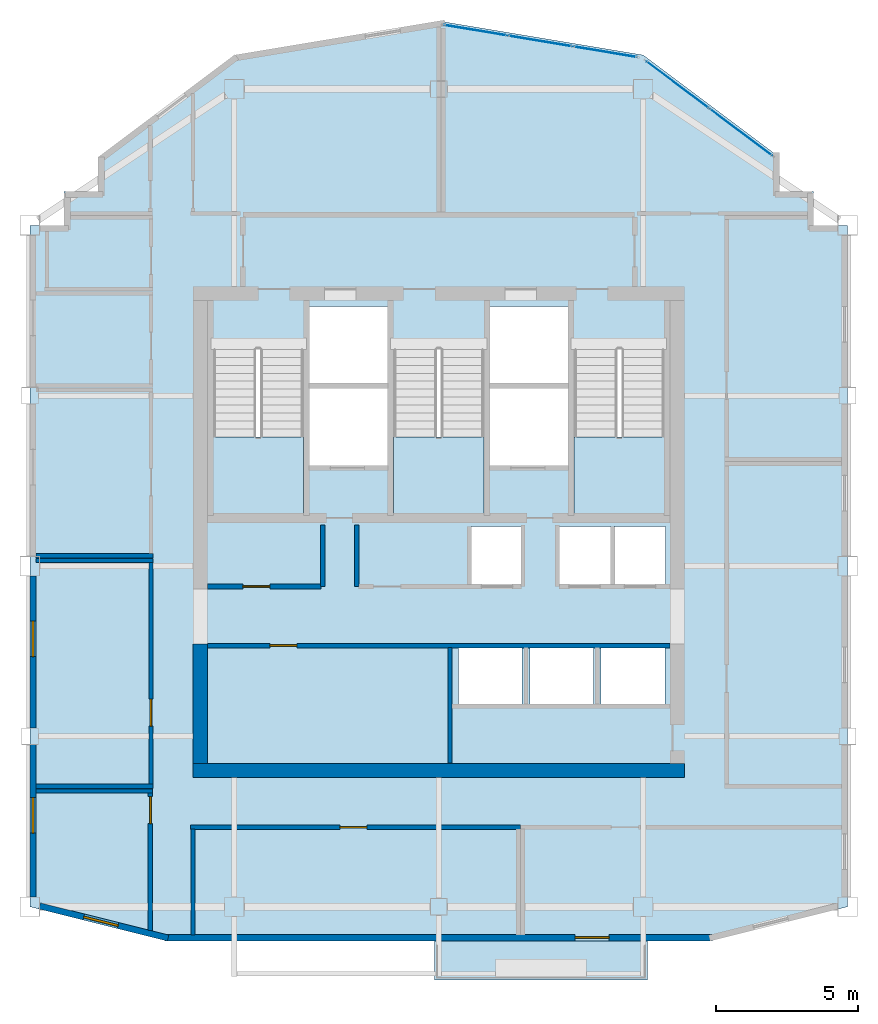
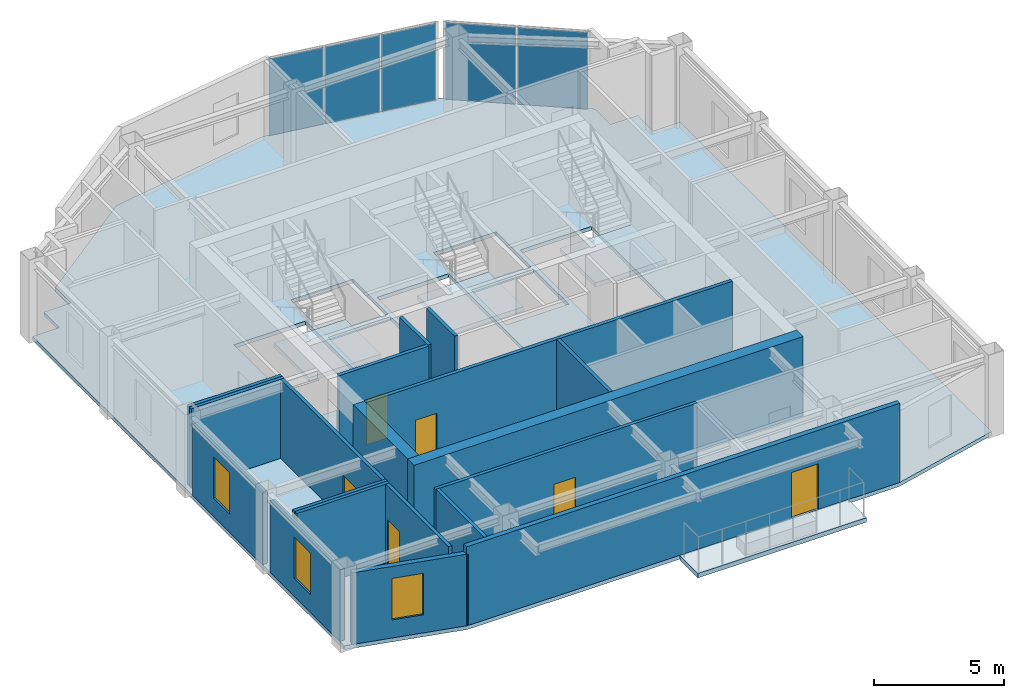
# One storey, part 4 of 8: 19 walls, 6 doors, 5 plates, 5 slabs, 3 windows, 9 openings, 5 elements without a shape of their own.
"""IFC4 building model written with IfcOpenShell, lengths in metres."""

from ifc_helpers import new_model, si_unit, direction, frame, frame_2d, origin, origin_2d, place, context, subcontext, project, spatial, polyline, rectangle, outline, extrude, material, layer, layer_set, type_object, element, fill, aggregate, save


model = new_model("IFC4")

# Units and contexts
model_context = context("Model", 3, precision=1e-05, world=origin(), true_north=direction((0.0, 1.0)))
body_context = subcontext(model_context, "Body", "Model", "MODEL_VIEW")
ifc_project = project(units=[si_unit("LENGTHUNIT", "METRE"), si_unit("AREAUNIT", "SQUARE_METRE"), si_unit("VOLUMEUNIT", "CUBIC_METRE"), si_unit("PLANEANGLEUNIT", "RADIAN"), si_unit("MASSUNIT", "GRAM", prefix="KILO")], contexts=[model_context])

# Site, building, storey
site_placement = place(None, origin())
site = spatial("IfcSite", under=ifc_project, at=site_placement, CompositionType="ELEMENT")
building_placement = place(site_placement, origin())
building = spatial("IfcBuilding", under=site, at=building_placement, Name="Haolan Belvedere Tower", CompositionType="ELEMENT")
storey_placement = place(building_placement, frame((0.0, 0.0, 305.60009765625)))
storey = spatial("IfcBuildingStorey", under=building, at=storey_placement, Name="L77", CompositionType="ELEMENT", Elevation=305.60009765625)

# Curtain wall, plates
ifc_material_1 = material(Name="Anodised champagne-silver aluminium 6063-T6 and Low-E glass", Category="aluminium")
ifc_layer_1 = layer(ifc_material_1, 0.14501953125, Name="Anodised champagne-silver aluminium 6063-T6 and Low-E glass")
ifc_layer_set_1 = layer_set([ifc_layer_1], Name="Anodised champagne-silver aluminium 6063-T6 and Low-E glass")
curtain_wall_type = type_object("IfcCurtainWallType", Name="CW-SYS-05", PredefinedType="NOTDEFINED", material=ifc_layer_set_1)
curtain_wall_1_placement = place(storey_placement, origin())
curtain_wall_1 = element("IfcCurtainWall", 1, at=curtain_wall_1_placement, inside=storey, type_object=curtain_wall_type, Name="L77 CW-SYS-05 ribbon curtain wall 8.1", PredefinedType="NOTDEFINED")
ifc_material_2 = material(Name="Double silver Low-E laminated insulating glass", Category="glass")
ifc_layer_2 = layer(ifc_material_2, 0.02197265625, Name="Double silver Low-E laminated insulating glass")
ifc_layer_set_2 = layer_set([ifc_layer_2], Name="Double silver Low-E laminated insulating glass")
plate_type = type_object("IfcPlateType", Name="CW-SYS-05-PNL", PredefinedType="CURTAIN_PANEL", material=ifc_layer_set_2)
plate_1_placement = place(storey_placement, frame((49.03955078125, 48.8828125, 0.0498046875), z_axis=(0.0, 0.0, 1.0), x_axis=(-0.799997871638, 0.600002837806, 0.0)))
plate_1 = element("IfcPlate", 2, at=plate_1_placement, type_object=plate_type, Name="CW-05 panel 1.1", PredefinedType="CURTAIN_PANEL", context=body_context, shape_type="SweptSolid", body=[
    extrude(rectangle(XDim=2.738037109375, YDim=0.02197265625, at=origin_2d()), origin(), (0.0, 0.0, 1.0), 3.6201171875),
])
plate_2_placement = place(storey_placement, frame((46.805908203125, 50.55810546875, 0.0498046875), z_axis=(0.0, 0.0, 1.0), x_axis=(-0.799997871638, 0.600002837806, 0.0)))
plate_2 = element("IfcPlate", 3, at=plate_2_placement, type_object=plate_type, Name="CW-05 panel 2.1", PredefinedType="CURTAIN_PANEL", context=body_context, shape_type="SweptSolid", body=[
    extrude(rectangle(XDim=2.738037109375, YDim=0.02197265625, at=origin_2d()), origin(), (0.0, 0.0, 1.0), 3.6201171875),
])
aggregate(curtain_wall_1, [plate_1, plate_2])

curtain_wall_2_placement = place(storey_placement, origin())
curtain_wall_2 = element("IfcCurtainWall", 4, at=curtain_wall_2_placement, inside=storey, type_object=curtain_wall_type, Name="L77 CW-SYS-05 ribbon curtain wall 9.1", PredefinedType="NOTDEFINED")
plate_3_placement = place(storey_placement, frame((44.257568359375, 51.712158203125, 0.0498046875), z_axis=(0.0, 0.0, 1.0), x_axis=(-0.98639276122, 0.164405962825, 0.0)))
plate_3 = element("IfcPlate", 5, at=plate_3_placement, type_object=plate_type, Name="CW-05 panel 1.1", PredefinedType="CURTAIN_PANEL", context=body_context, shape_type="SweptSolid", body=[
    extrude(rectangle(XDim=2.24365234375, YDim=0.02197265625, at=origin_2d()), origin(), (0.0, 0.0, 1.0), 3.6201171875),
])
plate_4_placement = place(storey_placement, frame((41.977783203125, 52.09228515625, 0.0498046875), z_axis=(0.0, 0.0, 1.0), x_axis=(-0.98639276122, 0.164405962825, 0.0)))
plate_4 = element("IfcPlate", 6, at=plate_4_placement, type_object=plate_type, Name="CW-05 panel 2.1", PredefinedType="CURTAIN_PANEL", context=body_context, shape_type="SweptSolid", body=[
    extrude(rectangle(XDim=2.270751953125, YDim=0.02197265625, at=origin_2d()), origin(), (0.0, 0.0, 1.0), 3.6201171875),
])
plate_5_placement = place(storey_placement, frame((39.697998046875, 52.47216796875, 0.0498046875), z_axis=(0.0, 0.0, 1.0), x_axis=(-0.98639276122, 0.164405962825, 0.0)))
plate_5 = element("IfcPlate", 7, at=plate_5_placement, type_object=plate_type, Name="CW-05 panel 3.1", PredefinedType="CURTAIN_PANEL", context=body_context, shape_type="SweptSolid", body=[
    extrude(rectangle(XDim=2.24365234375, YDim=0.02197265625, at=origin_2d()), origin(), (0.0, 0.0, 1.0), 3.6201171875),
])
aggregate(curtain_wall_2, [plate_3, plate_4, plate_5])

# Slabs
ifc_material_3 = material(Name="Concrete C40/50", Category="concrete")
ifc_layer_3 = layer(ifc_material_3, 0.2099609375, Name="Concrete C40/50")
ifc_layer_set_3 = layer_set([ifc_layer_3], Name="Concrete C40/50")
slab_type_1 = type_object("IfcSlabType", Name="SL-BAL-210", PredefinedType="FLOOR", material=ifc_layer_set_3)
slab_1_placement = place(storey_placement, frame((0.0, 0.0, -0.22998046875)))
element("IfcSlab", 8, at=slab_1_placement, inside=storey, type_object=slab_type_1, Name="L77 structural tree-planter balcony slab BAL-L77-S1", PredefinedType="FLOOR", context=body_context, shape_type="SweptSolid", body=[
    extrude(outline(polyline([(38.25, 19.02001953125), (45.75, 19.02001953125), (45.75, 20.39990234375), (38.25, 20.39990234375), (38.25, 19.02001953125)])), origin(), (0.0, 0.0, 1.0), 0.2099609375),
])
ifc_layer_4 = layer(ifc_material_3, 0.179931640625, Name="Concrete C40/50")
ifc_layer_set_4 = layer_set([ifc_layer_4], Name="Concrete C40/50")
slab_type_2 = type_object("IfcSlabType", Name="SL-FLR-180", PredefinedType="FLOOR", material=ifc_layer_set_4)
slab_2_placement = place(storey_placement, frame((0.0, 0.0, -0.18017578125)))
element("IfcSlab", 9, at=slab_2_placement, inside=storey, type_object=slab_type_2, Name="L77 structural floor slab", PredefinedType="FLOOR", context=body_context, shape_type="SweptSolid", body=[
    extrude(outline(polyline([(24.0, 21.60009765625), (28.800048828125, 20.39990234375), (48.0, 20.39990234375), (52.800048828125, 21.60009765625), (52.800048828125, 45.60009765625), (52.800048828125, 45.60009765625), (51.60009765625, 45.60009765625), (51.60009765625, 46.800048828125), (50.39990234375, 46.800048828125), (50.39990234375, 48.0), (45.60009765625, 51.60009765625), (38.39990234375, 52.800048828125), (31.199951171875, 51.60009765625), (26.39990234375, 48.0), (26.39990234375, 46.800048828125), (25.199951171875, 46.800048828125), (25.199951171875, 45.60009765625), (24.0, 45.60009765625), (24.0, 45.60009765625), (24.0, 21.60009765625)]), holes=[polyline([(30.449951171875, 41.22998046875), (30.449951171875, 35.449951171875), (33.6298828125, 35.449951171875), (33.6298828125, 41.22998046875), (30.449951171875, 41.22998046875)]), polyline([(36.81005859375, 41.22998046875), (36.81005859375, 35.449951171875), (39.989990234375, 35.449951171875), (39.989990234375, 41.22998046875), (36.81005859375, 41.22998046875)]), polyline([(43.169921875, 41.22998046875), (43.169921875, 35.449951171875), (46.35009765625, 35.449951171875), (46.35009765625, 41.22998046875), (43.169921875, 41.22998046875)]), polyline([(33.830078125, 40.050048828125), (36.610107421875, 40.050048828125), (36.610107421875, 42.75), (33.830078125, 42.75), (33.830078125, 40.050048828125)]), polyline([(33.830078125, 37.14990234375), (36.610107421875, 37.14990234375), (36.610107421875, 39.85009765625), (33.830078125, 39.85009765625), (33.830078125, 37.14990234375)]), polyline([(40.18994140625, 40.050048828125), (42.969970703125, 40.050048828125), (42.969970703125, 42.75), (40.18994140625, 42.75), (40.18994140625, 40.050048828125)]), polyline([(40.18994140625, 37.14990234375), (42.969970703125, 37.14990234375), (42.969970703125, 39.85009765625), (40.18994140625, 39.85009765625), (40.18994140625, 37.14990234375)]), polyline([(39.5400390625, 32.949951171875), (41.389892578125, 32.949951171875), (41.389892578125, 35.0), (39.5400390625, 35.0), (39.5400390625, 32.949951171875)]), polyline([(42.6201171875, 32.949951171875), (44.469970703125, 32.949951171875), (44.469970703125, 35.0), (42.6201171875, 35.0), (42.6201171875, 32.949951171875)]), polyline([(44.580078125, 32.949951171875), (46.3798828125, 32.949951171875), (46.3798828125, 35.0), (44.580078125, 35.0), (44.580078125, 32.949951171875)]), polyline([(39.10009765625, 28.75), (41.340087890625, 28.75), (41.340087890625, 30.75), (39.10009765625, 30.75), (39.10009765625, 28.75)]), polyline([(41.610107421875, 28.75), (43.85009765625, 28.75), (43.85009765625, 30.75), (41.610107421875, 30.75), (41.610107421875, 28.75)]), polyline([(44.1201171875, 28.75), (46.360107421875, 28.75), (46.360107421875, 30.75), (44.1201171875, 30.75), (44.1201171875, 28.75)])]), origin(), (0.0, 0.0, 1.0), 0.18017578125),
])

# Stair, slab
stair_type = type_object("IfcStairType", Name="STR-DL-24R-162", PredefinedType="HALF_TURN_STAIR", material=ifc_material_3)
stair_1_placement = place(storey_placement, origin())
stair_1 = element("IfcStair", 10, at=stair_1_placement, inside=storey, type_object=stair_type, Name="L77 Smokeproof Core Exit Stair ST1", PredefinedType="HALF_TURN_STAIR")
ifc_layer_5 = layer(ifc_material_3, 0.199951171875, Name="Concrete C40/50")
ifc_layer_set_5 = layer_set([ifc_layer_5], Name="Concrete C40/50")
slab_type_3 = type_object("IfcSlabType", Name="SL-LAND-200", PredefinedType="LANDING", material=ifc_layer_set_5)
slab_3_placement = place(storey_placement, frame((0.0, 0.0, 1.75)))
slab_3 = element("IfcSlab", 11, at=slab_3_placement, type_object=slab_type_3, Name="ST1 landing 1", PredefinedType="LANDING", context=body_context, shape_type="SweptSolid", body=[
    extrude(outline(polyline([(30.449951171875, 38.14990234375), (30.449951171875, 35.449951171875), (33.6298828125, 35.449951171875), (33.6298828125, 38.14990234375), (30.449951171875, 38.14990234375)])), origin(), (0.0, 0.0, 1.0), 0.199951171875),
])
aggregate(stair_1, [slab_3])

stair_2_placement = place(storey_placement, origin())
stair_2 = element("IfcStair", 12, at=stair_2_placement, inside=storey, type_object=stair_type, Name="L77 Smokeproof Core Exit Stair ST3", PredefinedType="HALF_TURN_STAIR")
slab_4_placement = place(storey_placement, frame((0.0, 0.0, 1.75)))
slab_4 = element("IfcSlab", 13, at=slab_4_placement, type_object=slab_type_3, Name="ST3 landing 1", PredefinedType="LANDING", context=body_context, shape_type="SweptSolid", body=[
    extrude(outline(polyline([(36.81005859375, 38.14990234375), (36.81005859375, 35.449951171875), (39.989990234375, 35.449951171875), (39.989990234375, 38.14990234375), (36.81005859375, 38.14990234375)])), origin(), (0.0, 0.0, 1.0), 0.199951171875),
])
aggregate(stair_2, [slab_4])

stair_3_placement = place(storey_placement, origin())
stair_3 = element("IfcStair", 14, at=stair_3_placement, inside=storey, type_object=stair_type, Name="L77 Smokeproof Core Exit Stair ST2", PredefinedType="HALF_TURN_STAIR")
slab_5_placement = place(storey_placement, frame((0.0, 0.0, 1.75)))
slab_5 = element("IfcSlab", 15, at=slab_5_placement, type_object=slab_type_3, Name="ST2 landing 1", PredefinedType="LANDING", context=body_context, shape_type="SweptSolid", body=[
    extrude(outline(polyline([(43.169921875, 38.14990234375), (43.169921875, 35.449951171875), (46.35009765625, 35.449951171875), (46.35009765625, 38.14990234375), (43.169921875, 38.14990234375)])), origin(), (0.0, 0.0, 1.0), 0.199951171875),
])
aggregate(stair_3, [slab_5])

# Walls
ifc_material_4 = material(Name="Concrete C50/60", Category="concrete")
ifc_layer_6 = layer(ifc_material_4, 0.5, Name="Concrete C50/60")
ifc_layer_set_6 = layer_set([ifc_layer_6], Name="Concrete C50/60")
wall_type_1 = type_object("IfcWallType", Name="WL-CORE-500", PredefinedType="SHEAR", material=ifc_layer_set_6)
wall_1_placement = place(storey_placement, frame((29.75, 26.39990234375, 0.0), z_axis=(0.0, 0.0, 1.0), x_axis=(1.0, 0.0, 0.0)))
element("IfcWall", 16, at=wall_1_placement, inside=storey, type_object=wall_type_1, Name="L77 central core south shear wall", PredefinedType="SHEAR", context=body_context, shape_type="SweptSolid", body=[
    extrude(rectangle(XDim=17.300048828125, YDim=0.5, at=frame_2d((8.64990234375, 0.0))), origin(), (0.0, 0.0, 1.0), 3.719970703125),
])
wall_2_placement = place(storey_placement, frame((30.0, 26.64990234375, 0.0), z_axis=(0.0, 0.0, 1.0), x_axis=(0.0, 1.0, 0.0)))
element("IfcWall", 17, at=wall_2_placement, inside=storey, type_object=wall_type_1, Name="L77 central core shear wall WS", PredefinedType="SHEAR", context=body_context, shape_type="SweptSolid", body=[
    extrude(rectangle(XDim=4.2001953125, YDim=0.5, at=frame_2d((2.10009765625, 0.0))), origin(), (0.0, 0.0, 1.0), 3.719970703125),
])

# Wall, opening, door
ifc_material_5 = material(Name="Precast concrete C40/50", Category="concrete")
ifc_layer_7 = layer(ifc_material_5, 0.219970703125, Name="Precast concrete C40/50")
ifc_layer_set_7 = layer_set([ifc_layer_7], Name="Precast concrete C40/50")
wall_type_2 = type_object("IfcWallType", Name="WL-EXT-220", PredefinedType="SOLIDWALL", material=ifc_layer_set_7)
wall_3_placement = place(storey_placement, frame((28.758544921875, 20.510009765625, 0.0), z_axis=(0.0, 0.0, 1.0), x_axis=(1.0, 0.0, 0.0)))
wall_3 = element("IfcWall", 18, at=wall_3_placement, inside=storey, type_object=wall_type_2, Name="L77 pale-metal exterior spandrel wall 1.1", PredefinedType="SOLIDWALL", context=body_context, shape_type="SweptSolid", body=[
    extrude(rectangle(XDim=19.282958984375, YDim=0.219970703125, at=frame_2d((9.6416015625, 0.0))), origin(), (0.0, 0.0, 1.0), 3.719970703125),
])
opening_1_placement = place(wall_3_placement, frame((15.641357421875, 0.0, 0.0), z_axis=(0.0, 0.0, 1.0), x_axis=(-1.0, 0.0, 0.0)))
opening_1 = element("IfcOpeningElement", 19, at=opening_1_placement, cuts=wall_3, Name="Opening BD-01", PredefinedType="OPENING", context=body_context, shape_type="SweptSolid", body=[
    extrude(rectangle(XDim=1.199951171875, YDim=2.14990234375, at=frame_2d((0.60009765625, 1.074951171875))), frame((0.0, 0.119873046875, 0.0), z_axis=(0.0, -1.0, 0.0), x_axis=(1.0, 0.0, 0.0)), (0.0, 0.0, 1.0), 0.239990234375),
])
ifc_material_6 = material(Name="Thermally broken pale-metal aluminium and Low-E glass", Category="aluminium")
door_type_1 = type_object("IfcDoorType", Name="DR-BAL-1200", OperationType="NOTDEFINED", PredefinedType="DOOR", material=ifc_material_6)
door_1_placement = place(opening_1_placement, origin())
door_1 = element("IfcDoor", 20, at=door_1_placement, inside=storey, type_object=door_type_1, Name="L77 tree-balcony access door 1", OperationType="SINGLE_SWING_LEFT", OverallHeight=2.14990234375, OverallWidth=1.199951171875, PredefinedType="DOOR", context=body_context, shape_type="SweptSolid", body=[
    extrude(rectangle(XDim=1.199951171875, YDim=2.14990234375, at=frame_2d((0.60009765625, 1.074951171875))), frame((0.0, 0.02490234375, 0.0), z_axis=(0.0, -1.0, 0.0), x_axis=(1.0, 0.0, 0.0)), (0.0, 0.0, 1.0), 0.050048828125),
])
fill(opening_1, door_1)

# Wall, opening, window
wall_4_placement = place(storey_placement, frame((24.110107421875, 33.258056640625, 0.0), z_axis=(0.0, 0.0, 1.0), x_axis=(0.0, -1.0, 0.0)))
wall_4 = element("IfcWall", 21, at=wall_4_placement, inside=storey, type_object=wall_type_2, Name="L77 pale-metal exterior spandrel wall 16.3", PredefinedType="SOLIDWALL", context=body_context, shape_type="SweptSolid", body=[
    extrude(rectangle(XDim=5.365966796875, YDim=0.219970703125, at=frame_2d((2.68310546875, 0.0))), origin(), (0.0, 0.0, 1.0), 3.364990234375),
])
opening_2_placement = place(wall_4_placement, frame((1.60009765625, 0.0, 0.85009765625)))
opening_2 = element("IfcOpeningElement", 22, at=opening_2_placement, cuts=wall_4, Name="Opening W-04", PredefinedType="OPENING", context=body_context, shape_type="SweptSolid", body=[
    extrude(rectangle(XDim=1.25, YDim=1.949951171875, at=frame_2d((0.625, 0.97509765625))), frame((0.0, 0.119873046875, 0.0), z_axis=(0.0, -1.0, 0.0), x_axis=(1.0, 0.0, 0.0)), (0.0, 0.0, 1.0), 0.239990234375),
])
ifc_material_7 = material(Name="Anodised aluminium 6063-T6 and Low-E glass", Category="aluminium")
window_type = type_object("IfcWindowType", Name="WN-DECO-Z4", PartitioningType="SINGLE_PANEL", PredefinedType="WINDOW", material=ifc_material_7)
window_1_placement = place(opening_2_placement, origin())
window_1 = element("IfcWindow", 23, at=window_1_placement, inside=storey, type_object=window_type, Name="L77 Art Deco chevron window 1", OverallHeight=1.949951171875, OverallWidth=1.25, PartitioningType="SINGLE_PANEL", PredefinedType="WINDOW", context=body_context, shape_type="SweptSolid", body=[
    extrude(rectangle(XDim=1.25, YDim=1.949951171875, at=frame_2d((0.625, 0.97509765625))), frame((0.0, 0.030029296875, 0.0), z_axis=(0.0, -1.0, 0.0), x_axis=(1.0, 0.0, 0.0)), (0.0, 0.0, 1.0), 0.06005859375),
])
fill(opening_2, window_1)

wall_5_placement = place(storey_placement, frame((24.110107421875, 27.30810546875, 0.0), z_axis=(0.0, 0.0, 1.0), x_axis=(0.0, -1.0, 0.0)))
wall_5 = element("IfcWall", 24, at=wall_5_placement, inside=storey, type_object=wall_type_2, Name="L77 pale-metal exterior spandrel wall 16.4", PredefinedType="SOLIDWALL", context=body_context, shape_type="SweptSolid", body=[
    extrude(rectangle(XDim=5.3662109375, YDim=0.219970703125, at=frame_2d((2.68310546875, 0.0))), origin(), (0.0, 0.0, 1.0), 3.364990234375),
])
opening_3_placement = place(wall_5_placement, frame((1.863037109375, 0.0, 0.85009765625)))
opening_3 = element("IfcOpeningElement", 25, at=opening_3_placement, cuts=wall_5, Name="Opening W-04", PredefinedType="OPENING", context=body_context, shape_type="SweptSolid", body=[
    extrude(rectangle(XDim=1.25, YDim=1.949951171875, at=frame_2d((0.625, 0.97509765625))), frame((0.0, 0.119873046875, 0.0), z_axis=(0.0, -1.0, 0.0), x_axis=(1.0, 0.0, 0.0)), (0.0, 0.0, 1.0), 0.239990234375),
])
window_2_placement = place(opening_3_placement, origin())
window_2 = element("IfcWindow", 26, at=window_2_placement, inside=storey, type_object=window_type, Name="L77 Art Deco chevron window 1", OverallHeight=1.949951171875, OverallWidth=1.25, PartitioningType="SINGLE_PANEL", PredefinedType="WINDOW", context=body_context, shape_type="SweptSolid", body=[
    extrude(rectangle(XDim=1.25, YDim=1.949951171875, at=frame_2d((0.625, 0.97509765625))), frame((0.0, 0.030029296875, 0.0), z_axis=(0.0, -1.0, 0.0), x_axis=(1.0, 0.0, 0.0)), (0.0, 0.0, 1.0), 0.06005859375),
])
fill(opening_3, window_2)

wall_6_placement = place(storey_placement, frame((24.342041015625, 21.6279296875, 0.0), z_axis=(0.0, 0.0, 1.0), x_axis=(0.970136341762, -0.242560257242, 0.0)))
wall_6 = element("IfcWall", 27, at=wall_6_placement, inside=storey, type_object=wall_type_2, Name="L77 pale-metal exterior spandrel wall 17.1", PredefinedType="SOLIDWALL", context=body_context, shape_type="SweptSolid", body=[
    extrude(rectangle(XDim=4.664306640625, YDim=0.219970703125, at=frame_2d((2.33203125, 0.0))), origin(), (0.0, 0.0, 1.0), 3.364990234375),
])
opening_4_placement = place(wall_6_placement, frame((1.60009765625, 0.0, 0.85009765625)))
opening_4 = element("IfcOpeningElement", 28, at=opening_4_placement, cuts=wall_6, Name="Opening W-04", PredefinedType="OPENING", context=body_context, shape_type="SweptSolid", body=[
    extrude(rectangle(XDim=1.25, YDim=1.949951171875, at=frame_2d((0.625, 0.97509765625))), frame((0.0, 0.119873046875, 0.0), z_axis=(0.0, -1.0, 0.0), x_axis=(1.0, 0.0, 0.0)), (0.0, 0.0, 1.0), 0.239990234375),
])
window_3_placement = place(opening_4_placement, origin())
window_3 = element("IfcWindow", 29, at=window_3_placement, inside=storey, type_object=window_type, Name="L77 Art Deco chevron window 1", OverallHeight=1.949951171875, OverallWidth=1.25, PartitioningType="SINGLE_PANEL", PredefinedType="WINDOW", context=body_context, shape_type="SweptSolid", body=[
    extrude(rectangle(XDim=1.25, YDim=1.949951171875, at=frame_2d((0.625, 0.97509765625))), frame((0.0, 0.030029296875, 0.0), z_axis=(0.0, -1.0, 0.0), x_axis=(1.0, 0.0, 0.0)), (0.0, 0.0, 1.0), 0.06005859375),
])
fill(opening_4, window_3)

# Walls
ifc_material_8 = material(Name="Double gypsum acoustic stud partition", Category="masonry")
ifc_layer_8 = layer(ifc_material_8, 0.14990234375, Name="Double gypsum acoustic stud partition")
ifc_layer_set_8 = layer_set([ifc_layer_8], Name="Double gypsum acoustic stud partition")
wall_type_3 = type_object("IfcWallType", Name="WL-PART-150", PredefinedType="PARTITIONING", material=ifc_layer_set_8)
for number, where, z_axis, x_axis, name in (
    (30, (24.2119140625, 33.800048828125, 0.0), (0.0, 0.0, 1.0), (1.0, 0.0, 0.0), "L77 interior partition IW-L77-PH-LIBW-N"),
    (31, (24.2119140625, 25.840087890625, 0.0), (0.0, 0.0, 1.0), (1.0, 0.0, 0.0), "L77 interior partition IW-L77-PH-LIBW-S"),
):
    element("IfcWall", number, at=place(storey_placement, frame(where, z_axis=z_axis, x_axis=x_axis)), inside=storey, type_object=wall_type_3, Name=name, PredefinedType="PARTITIONING", context=body_context, shape_type="SweptSolid", body=[
        extrude(rectangle(XDim=4.128173828125, YDim=0.14990234375, at=frame_2d((2.06396484375, 0.0))), origin(), (0.0, 0.0, 1.0), 3.719970703125),
    ])

# Wall, opening, door
wall_7_placement = place(storey_placement, frame((28.260009765625, 25.89990234375, 0.0), z_axis=(0.0, 0.0, 1.0), x_axis=(0.0, 1.0, 0.0)))
wall_7 = element("IfcWall", 32, at=wall_7_placement, inside=storey, type_object=wall_type_3, Name="L77 interior partition IW-L77-PH-LIBW-E", PredefinedType="PARTITIONING", context=body_context, shape_type="SweptSolid", body=[
    extrude(rectangle(XDim=7.840087890625, YDim=0.14990234375, at=frame_2d((3.919921875, 0.0))), origin(), (0.0, 0.0, 1.0), 3.719970703125),
])
opening_5_placement = place(wall_7_placement, frame((3.010009765625, 0.0, 0.0), z_axis=(0.0, 0.0, 1.0), x_axis=(-1.0, 0.0, 0.0)))
opening_5 = element("IfcOpeningElement", 33, at=opening_5_placement, cuts=wall_7, Name="Opening ID-03", PredefinedType="OPENING", context=body_context, shape_type="SweptSolid", body=[
    extrude(rectangle(XDim=0.949951171875, YDim=2.1201171875, at=frame_2d((0.47509765625, 1.06005859375))), frame((0.0, 0.0849609375, 0.0), z_axis=(0.0, -1.0, 0.0), x_axis=(1.0, 0.0, 0.0)), (0.0, 0.0, 1.0), 0.169921875),
])
ifc_material_9 = material(Name="Painted solid-core timber", Category="wood")
door_type_2 = type_object("IfcDoorType", Name="DR-INT-950", OperationType="NOTDEFINED", PredefinedType="DOOR", material=ifc_material_9)
door_2_placement = place(opening_5_placement, origin())
door_2 = element("IfcDoor", 34, at=door_2_placement, inside=storey, type_object=door_type_2, Name="L77 door ID-L77-PH-LIBW", OperationType="SINGLE_SWING_LEFT", OverallHeight=2.1201171875, OverallWidth=0.949951171875, PredefinedType="DOOR", context=body_context, shape_type="SweptSolid", body=[
    extrude(rectangle(XDim=0.949951171875, YDim=2.1201171875, at=frame_2d((0.47509765625, 1.06005859375))), frame((0.0, 0.02490234375, 0.0), z_axis=(0.0, -1.0, 0.0), x_axis=(1.0, 0.0, 0.0)), (0.0, 0.0, 1.0), 0.050048828125),
])
fill(opening_5, door_2)

# Wall
wall_8_placement = place(storey_placement, frame((24.2119140625, 33.9599609375, 0.0), z_axis=(0.0, 0.0, 1.0), x_axis=(1.0, 0.0, 0.0)))
element("IfcWall", 35, at=wall_8_placement, inside=storey, type_object=wall_type_3, Name="L77 interior partition IW-L77-PH-TERW-S", PredefinedType="PARTITIONING", context=body_context, shape_type="SweptSolid", body=[
    extrude(rectangle(XDim=4.128173828125, YDim=0.14990234375, at=frame_2d((2.06396484375, 0.0))), origin(), (0.0, 0.0, 1.0), 3.719970703125),
])

# Wall, opening, door
wall_9_placement = place(storey_placement, frame((29.659912109375, 24.39990234375, 0.0), z_axis=(0.0, 0.0, 1.0), x_axis=(1.0, 0.0, 0.0)))
wall_9 = element("IfcWall", 36, at=wall_9_placement, inside=storey, type_object=wall_type_3, Name="L77 interior partition IW-L77-PHS1-N", PredefinedType="PARTITIONING", context=body_context, shape_type="SweptSolid", body=[
    extrude(rectangle(XDim=11.6201171875, YDim=0.14990234375, at=frame_2d((5.81005859375, 0.0))), origin(), (0.0, 0.0, 1.0), 3.719970703125),
])
opening_6_placement = place(wall_9_placement, frame((6.204833984375, 0.0, 0.0), z_axis=(0.0, 0.0, 1.0), x_axis=(-1.0, 0.0, 0.0)))
opening_6 = element("IfcOpeningElement", 37, at=opening_6_placement, cuts=wall_9, Name="Opening ID-03", PredefinedType="OPENING", context=body_context, shape_type="SweptSolid", body=[
    extrude(rectangle(XDim=0.949951171875, YDim=2.1201171875, at=frame_2d((0.47509765625, 1.06005859375))), frame((0.0, 0.0849609375, 0.0), z_axis=(0.0, -1.0, 0.0), x_axis=(1.0, 0.0, 0.0)), (0.0, 0.0, 1.0), 0.169921875),
])
door_3_placement = place(opening_6_placement, origin())
door_3 = element("IfcDoor", 38, at=door_3_placement, inside=storey, type_object=door_type_2, Name="L77 door ID-L77-PHS1", OperationType="SINGLE_SWING_LEFT", OverallHeight=2.1201171875, OverallWidth=0.949951171875, PredefinedType="DOOR", context=body_context, shape_type="SweptSolid", body=[
    extrude(rectangle(XDim=0.949951171875, YDim=2.1201171875, at=frame_2d((0.47509765625, 1.06005859375))), frame((0.0, 0.02490234375, 0.0), z_axis=(0.0, -1.0, 0.0), x_axis=(1.0, 0.0, 0.0)), (0.0, 0.0, 1.0), 0.050048828125),
])
fill(opening_6, door_3)

# Walls
wall_10_placement = place(storey_placement, frame((29.739990234375, 20.612060546875, 0.0), z_axis=(0.0, 0.0, 1.0), x_axis=(0.0, 1.0, 0.0)))
element("IfcWall", 39, at=wall_10_placement, inside=storey, type_object=wall_type_3, Name="L77 interior partition IW-L77-PHS1-W", PredefinedType="PARTITIONING", context=body_context, shape_type="SweptSolid", body=[
    extrude(rectangle(XDim=3.72802734375, YDim=0.14990234375, at=frame_2d((1.864013671875, 0.0))), origin(), (0.0, 0.0, 1.0), 3.719970703125),
])
wall_11_placement = place(storey_placement, frame((24.2119140625, 25.679931640625, 0.0), z_axis=(0.0, 0.0, 1.0), x_axis=(1.0, 0.0, 0.0)))
element("IfcWall", 40, at=wall_11_placement, inside=storey, type_object=wall_type_3, Name="L77 interior partition IW-L77-PH-GALW-N", PredefinedType="PARTITIONING", context=body_context, shape_type="SweptSolid", body=[
    extrude(rectangle(XDim=4.108154296875, YDim=0.14990234375, at=frame_2d((2.05419921875, 0.0))), origin(), (0.0, 0.0, 1.0), 3.719970703125),
])

# Wall, opening, door
wall_12_placement = place(storey_placement, frame((28.239990234375, 20.758544921875, 0.0), z_axis=(0.0, 0.0, 1.0), x_axis=(0.0, 1.0, 0.0)))
wall_12 = element("IfcWall", 41, at=wall_12_placement, inside=storey, type_object=wall_type_3, Name="L77 interior partition IW-L77-PH-GALW-E", PredefinedType="PARTITIONING", context=body_context, shape_type="SweptSolid", body=[
    extrude(rectangle(XDim=4.861572265625, YDim=0.14990234375, at=frame_2d((2.4306640625, 0.0))), origin(), (0.0, 0.0, 1.0), 3.719970703125),
])
opening_7_placement = place(wall_12_placement, frame((4.721435546875, 0.0, 0.0), z_axis=(0.0, 0.0, 1.0), x_axis=(-1.0, 0.0, 0.0)))
opening_7 = element("IfcOpeningElement", 42, at=opening_7_placement, cuts=wall_12, Name="Opening ID-03", PredefinedType="OPENING", context=body_context, shape_type="SweptSolid", body=[
    extrude(rectangle(XDim=0.949951171875, YDim=2.1201171875, at=frame_2d((0.47509765625, 1.06005859375))), frame((0.0, 0.0849609375, 0.0), z_axis=(0.0, -1.0, 0.0), x_axis=(1.0, 0.0, 0.0)), (0.0, 0.0, 1.0), 0.169921875),
])
door_4_placement = place(opening_7_placement, origin())
door_4 = element("IfcDoor", 43, at=door_4_placement, inside=storey, type_object=door_type_2, Name="L77 door ID-L77-PH-GALW", OperationType="SINGLE_SWING_LEFT", OverallHeight=2.1201171875, OverallWidth=0.949951171875, PredefinedType="DOOR", context=body_context, shape_type="SweptSolid", body=[
    extrude(rectangle(XDim=0.949951171875, YDim=2.1201171875, at=frame_2d((0.47509765625, 1.06005859375))), frame((0.0, 0.02490234375, 0.0), z_axis=(0.0, -1.0, 0.0), x_axis=(1.0, 0.0, 0.0)), (0.0, 0.0, 1.0), 0.050048828125),
])
fill(opening_7, door_4)

# Walls
ifc_material_10 = material(Name="Gypsum fire shaftwall assembly", Category="masonry")
ifc_layer_9 = layer(ifc_material_10, 0.1650390625, Name="Gypsum fire shaftwall assembly")
ifc_layer_set_9 = layer_set([ifc_layer_9], Name="Gypsum fire shaftwall assembly")
wall_type_4 = type_object("IfcWallType", Name="WL-SHAFT-160", PredefinedType="SOLIDWALL", material=ifc_layer_set_9)
for number, where, z_axis, x_axis, name in (
    (44, (34.31005859375, 32.8798828125, 0.0), (0.0, 0.0, 1.0), (0.0, 1.0, 0.0), "L77 interior partition IW-L77-SVP-W-SV1"),
    (45, (35.510009765625, 32.8798828125, 0.0), (0.0, 0.0, 1.0), (0.0, 1.0, 0.0), "L77 interior partition IW-L77-SVP-E-SV1"),
):
    element("IfcWall", number, at=place(storey_placement, frame(where, z_axis=z_axis, x_axis=x_axis)), inside=storey, type_object=wall_type_4, Name=name, PredefinedType="SOLIDWALL", context=body_context, shape_type="SweptSolid", body=[
        extrude(rectangle(XDim=2.170166015625, YDim=0.14990234375, at=frame_2d((1.0849609375, 0.0))), origin(), (0.0, 0.0, 1.0), 3.719970703125),
    ])

# Wall, opening, door
wall_13_placement = place(storey_placement, frame((30.25, 32.8798828125, 0.0), z_axis=(0.0, 0.0, 1.0), x_axis=(1.0, 0.0, 0.0)))
wall_13 = element("IfcWall", 46, at=wall_13_placement, inside=storey, type_object=wall_type_4, Name="L77 interior partition IW-L77-ROW-PN1", PredefinedType="SOLIDWALL", context=body_context, shape_type="SweptSolid", body=[
    extrude(rectangle(XDim=4.0, YDim=0.159912109375, at=frame_2d((2.0, 0.0))), origin(), (0.0, 0.0, 1.0), 3.719970703125),
])
opening_8_placement = place(wall_13_placement, frame((2.199951171875, 0.0, 0.0), z_axis=(0.0, 0.0, 1.0), x_axis=(-1.0, 0.0, 0.0)))
opening_8 = element("IfcOpeningElement", 47, at=opening_8_placement, cuts=wall_13, Name="Opening ID-03", PredefinedType="OPENING", context=body_context, shape_type="SweptSolid", body=[
    extrude(rectangle(XDim=0.949951171875, YDim=2.1201171875, at=frame_2d((0.47509765625, 1.06005859375))), frame((0.0, 0.08984375, 0.0), z_axis=(0.0, -1.0, 0.0), x_axis=(1.0, 0.0, 0.0)), (0.0, 0.0, 1.0), 0.179931640625),
])
door_5_placement = place(opening_8_placement, origin())
door_5 = element("IfcDoor", 48, at=door_5_placement, inside=storey, type_object=door_type_2, Name="L77 door ID-L77-CD-RPLW", OperationType="SINGLE_SWING_LEFT", OverallHeight=2.1201171875, OverallWidth=0.949951171875, PredefinedType="DOOR", context=body_context, shape_type="SweptSolid", body=[
    extrude(rectangle(XDim=0.949951171875, YDim=2.1201171875, at=frame_2d((0.47509765625, 1.06005859375))), frame((0.0, 0.02490234375, 0.0), z_axis=(0.0, -1.0, 0.0), x_axis=(1.0, 0.0, 0.0)), (0.0, 0.0, 1.0), 0.050048828125),
])
fill(opening_8, door_5)

wall_14_placement = place(storey_placement, frame((30.25, 30.800048828125, 0.0), z_axis=(0.0, 0.0, 1.0), x_axis=(1.0, 0.0, 0.0)))
wall_14 = element("IfcWall", 49, at=wall_14_placement, inside=storey, type_object=wall_type_4, Name="L77 interior partition IW-L77-ROW-PS", PredefinedType="SOLIDWALL", context=body_context, shape_type="SweptSolid", body=[
    extrude(rectangle(XDim=16.300048828125, YDim=0.159912109375, at=frame_2d((8.14990234375, 0.0))), origin(), (0.0, 0.0, 1.0), 3.719970703125),
])
opening_9_placement = place(wall_14_placement, frame((2.199951171875, 0.0, 0.0)))
opening_9 = element("IfcOpeningElement", 50, at=opening_9_placement, cuts=wall_14, Name="Opening ID-03", PredefinedType="OPENING", context=body_context, shape_type="SweptSolid", body=[
    extrude(rectangle(XDim=0.949951171875, YDim=2.1201171875, at=frame_2d((0.47509765625, 1.06005859375))), frame((0.0, 0.08984375, 0.0), z_axis=(0.0, -1.0, 0.0), x_axis=(1.0, 0.0, 0.0)), (0.0, 0.0, 1.0), 0.179931640625),
])
door_6_placement = place(opening_9_placement, origin())
door_6 = element("IfcDoor", 51, at=door_6_placement, inside=storey, type_object=door_type_2, Name="L77 door ID-L77-CD-RPMA", OperationType="SINGLE_SWING_LEFT", OverallHeight=2.1201171875, OverallWidth=0.949951171875, PredefinedType="DOOR", context=body_context, shape_type="SweptSolid", body=[
    extrude(rectangle(XDim=0.949951171875, YDim=2.1201171875, at=frame_2d((0.47509765625, 1.06005859375))), frame((0.0, 0.02490234375, 0.0), z_axis=(0.0, -1.0, 0.0), x_axis=(1.0, 0.0, 0.0)), (0.0, 0.0, 1.0), 0.050048828125),
])
fill(opening_9, door_6)

# Wall
wall_15_placement = place(storey_placement, frame((38.800048828125, 26.659912109375, 0.0), z_axis=(0.0, 0.0, 1.0), x_axis=(0.0, 1.0, 0.0)))
element("IfcWall", 52, at=wall_15_placement, inside=storey, type_object=wall_type_4, Name="L77 interior partition IW-L77-DIV-PM-OB", PredefinedType="SOLIDWALL", context=body_context, shape_type="SweptSolid", body=[
    extrude(rectangle(XDim=4.0751953125, YDim=0.14990234375, at=frame_2d((2.03759765625, 0.0))), origin(), (0.0, 0.0, 1.0), 3.719970703125),
])

save(model, "model.ifc")
